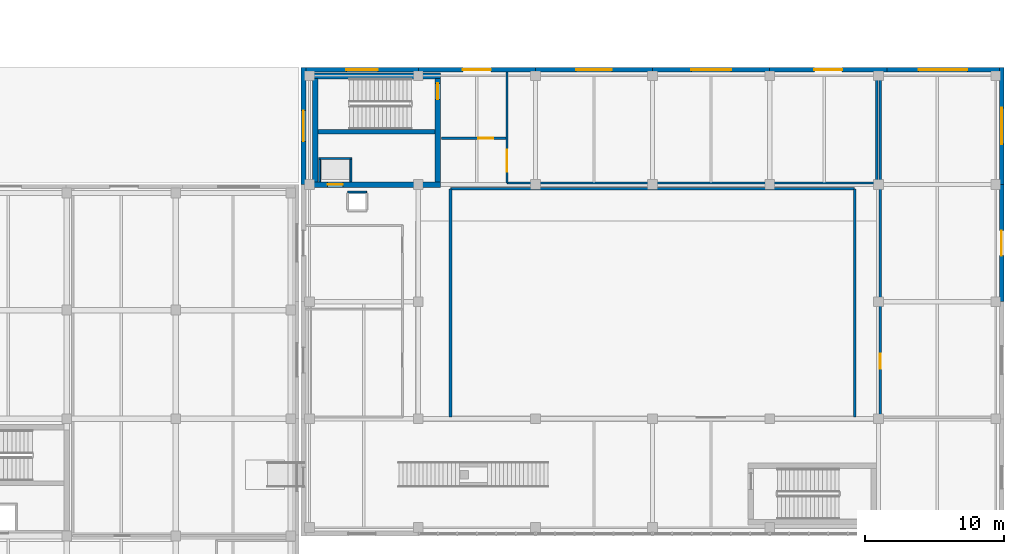
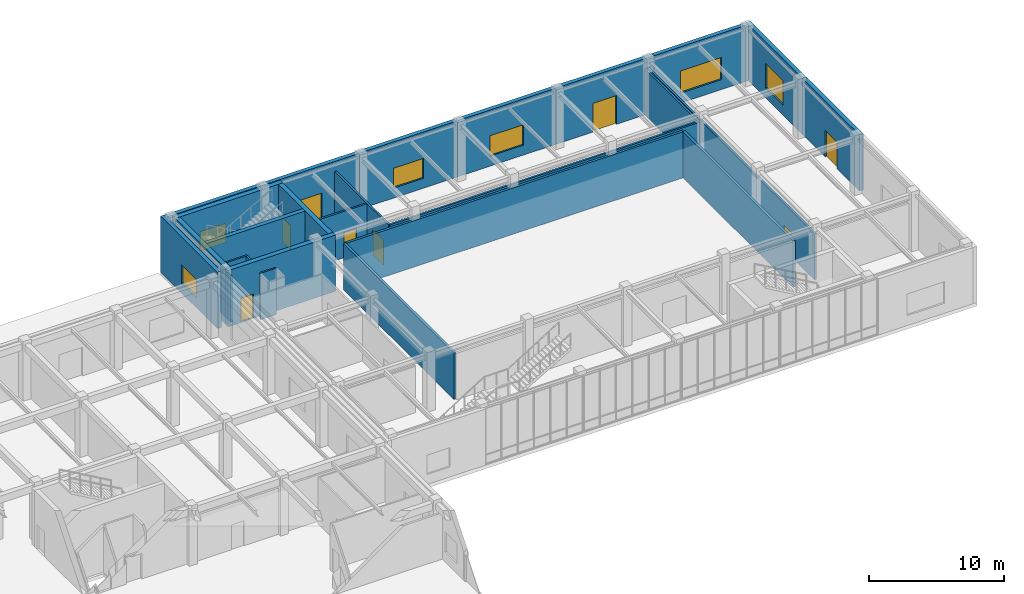
# One storey, part 103 of 122: 26 walls, 8 doors, 6 windows, 14 openings.
"""IFC4 building model written with IfcOpenShell, lengths in metres."""

from ifc_helpers import new_model, si_unit, direction, frame, frame_2d, origin, place, context, subcontext, project, spatial, rectangle, extrude, material, layer, layer_set, type_object, element, fill, save


model = new_model("IFC4")

# Units and contexts
model_context = context("Model", 3, precision=1e-05, world=origin(), true_north=direction((0.0, 1.0)))
body_context = subcontext(model_context, "Body", "Model", "MODEL_VIEW")
ifc_project = project(units=[si_unit("LENGTHUNIT", "METRE"), si_unit("AREAUNIT", "SQUARE_METRE"), si_unit("VOLUMEUNIT", "CUBIC_METRE"), si_unit("PLANEANGLEUNIT", "RADIAN"), si_unit("MASSUNIT", "GRAM", prefix="KILO")], contexts=[model_context])

# Site, building, storey
site_placement = place(None, origin())
site = spatial("IfcSite", under=ifc_project, at=site_placement, CompositionType="ELEMENT")
building_placement = place(site_placement, origin())
building = spatial("IfcBuilding", under=site, at=building_placement, Name="Zayran Congress Hotel", CompositionType="ELEMENT")
storey_placement = place(building_placement, origin())
storey = spatial("IfcBuildingStorey", under=building, at=storey_placement, Name="L00", CompositionType="ELEMENT", Elevation=0.0)

# Wall, opening, window
ifc_material_1 = material(Name="Hajar Ma'ani limestone and insulated concrete C32/40", Category="masonry")
ifc_layer_1 = layer(ifc_material_1, 0.340087890625)
ifc_layer_set_1 = layer_set([ifc_layer_1], Name="Hajar Ma'ani limestone and insulated concrete C32/40")
wall_type_1 = type_object("IfcWallType", Name="WL-EX-340", PredefinedType="SOLIDWALL", material=ifc_layer_set_1)
wall_1_placement = place(storey_placement, frame((143.139892578125, 117.830078125, 0.0), z_axis=(0.0, 0.0, 1.0), x_axis=(1.0, 0.0, 0.0)))
wall_1 = element("IfcWall", 1, at=wall_1_placement, inside=storey, type_object=wall_type_1, Name="EW-V2-N-L00-0", PredefinedType="SOLIDWALL", context=body_context, shape_type="SweptSolid", body=[
    extrude(rectangle(XDim=8.06005859375, YDim=0.340087890625, at=frame_2d((4.030029296875, 0.0))), origin(), (0.0, 0.0, 1.0), 5.080078125),
])
opening_1_placement = place(wall_1_placement, frame((2.905029296875, 0.0, 0.89990234375)))
opening_1 = element("IfcOpeningElement", 2, at=opening_1_placement, cuts=wall_1, Name="Opening WN-09", PredefinedType="OPENING", context=body_context, shape_type="SweptSolid", body=[
    extrude(rectangle(XDim=2.25, YDim=1.75, at=frame_2d((1.125, 0.875))), frame((0.0, 0.179931640625, 0.0), z_axis=(0.0, -1.0, 0.0), x_axis=(1.0, 0.0, 0.0)), (0.0, 0.0, 1.0), 0.360107421875),
])
ifc_material_2 = material(Name="Anodised aluminium and low-E insulated glass", Category="aluminium")
window_type_1 = type_object("IfcWindowType", Name="TP-WN-09", PartitioningType="DOUBLE_PANEL_VERTICAL", PredefinedType="WINDOW", material=ifc_material_2)
window_1_placement = place(opening_1_placement, origin())
window_1 = element("IfcWindow", 3, at=window_1_placement, inside=storey, type_object=window_type_1, Name="WIN-V2-0011", OverallHeight=1.75, OverallWidth=2.25, PartitioningType="SINGLE_PANEL", PredefinedType="WINDOW", context=body_context, shape_type="SweptSolid", body=[
    extrude(rectangle(XDim=2.25, YDim=1.75, at=frame_2d((1.125, 0.875))), frame((0.0, 0.030029296875, 0.0), z_axis=(0.0, -1.0, 0.0), x_axis=(1.0, 0.0, 0.0)), (0.0, 0.0, 1.0), 0.06005859375),
])
fill(opening_1, window_1)

# Wall, opening, door
wall_2_placement = place(storey_placement, frame((151.199951171875, 117.830078125, 0.0), z_axis=(0.0, 0.0, 1.0), x_axis=(1.0, 0.0, 0.0)))
wall_2 = element("IfcWall", 4, at=wall_2_placement, inside=storey, type_object=wall_type_1, Name="EW-V2-N-L00-1", PredefinedType="SOLIDWALL", context=body_context, shape_type="SweptSolid", body=[
    extrude(rectangle(XDim=8.400146484375, YDim=0.340087890625, at=frame_2d((4.2001953125, 0.0))), origin(), (0.0, 0.0, 1.0), 5.080078125),
])
opening_2_placement = place(wall_2_placement, frame((3.199951171875, 0.0, 0.0)))
opening_2 = element("IfcOpeningElement", 5, at=opening_2_placement, cuts=wall_2, Name="Opening DEX-02", PredefinedType="OPENING", context=body_context, shape_type="SweptSolid", body=[
    extrude(rectangle(XDim=2.0, YDim=2.60009765625, at=frame_2d((1.0, 1.300048828125))), frame((0.0, 0.179931640625, 0.0), z_axis=(0.0, -1.0, 0.0), x_axis=(1.0, 0.0, 0.0)), (0.0, 0.0, 1.0), 0.360107421875),
])
ifc_material_3 = material(Name="Anodised aluminium glazed entrance door", Category="aluminium")
door_type_1 = type_object("IfcDoorType", Name="TP-DEX-02", OperationType="DOUBLE_DOOR_SINGLE_SWING", PredefinedType="DOOR", material=ifc_material_3)
door_1_placement = place(opening_2_placement, origin())
door_1 = element("IfcDoor", 6, at=door_1_placement, inside=storey, type_object=door_type_1, Name="V2 Exterior Entrance Door 10", OperationType="DOUBLE_DOOR_SINGLE_SWING", OverallHeight=2.60009765625, OverallWidth=2.0, PredefinedType="DOOR", context=body_context, shape_type="SweptSolid", body=[
    extrude(rectangle(XDim=2.0, YDim=2.60009765625, at=frame_2d((1.0, 1.300048828125))), frame((0.0, 0.02490234375, 0.0), z_axis=(0.0, -1.0, 0.0), x_axis=(1.0, 0.0, 0.0)), (0.0, 0.0, 1.0), 0.050048828125),
])
fill(opening_2, door_1)

# Wall, opening, window
wall_3_placement = place(storey_placement, frame((159.60009765625, 117.830078125, 0.0), z_axis=(0.0, 0.0, 1.0), x_axis=(1.0, 0.0, 0.0)))
wall_3 = element("IfcWall", 7, at=wall_3_placement, inside=storey, type_object=wall_type_1, Name="EW-V2-N-L00-2", PredefinedType="SOLIDWALL", context=body_context, shape_type="SweptSolid", body=[
    extrude(rectangle(XDim=8.39990234375, YDim=0.340087890625, at=frame_2d((4.199951171875, 0.0))), origin(), (0.0, 0.0, 1.0), 5.080078125),
])
opening_3_placement = place(wall_3_placement, frame((2.925048828125, 0.0, 0.89990234375)))
opening_3 = element("IfcOpeningElement", 8, at=opening_3_placement, cuts=wall_3, Name="Opening WN-10", PredefinedType="OPENING", context=body_context, shape_type="SweptSolid", body=[
    extrude(rectangle(XDim=2.550048828125, YDim=1.800048828125, at=frame_2d((1.27490234375, 0.89990234375))), frame((0.0, 0.179931640625, 0.0), z_axis=(0.0, -1.0, 0.0), x_axis=(1.0, 0.0, 0.0)), (0.0, 0.0, 1.0), 0.360107421875),
])
window_type_2 = type_object("IfcWindowType", Name="TP-WN-10", PartitioningType="DOUBLE_PANEL_VERTICAL", PredefinedType="WINDOW", material=ifc_material_2)
window_2_placement = place(opening_3_placement, origin())
window_2 = element("IfcWindow", 9, at=window_2_placement, inside=storey, type_object=window_type_2, Name="WIN-V2-0013", OverallHeight=1.800048828125, OverallWidth=2.550048828125, PartitioningType="SINGLE_PANEL", PredefinedType="WINDOW", context=body_context, shape_type="SweptSolid", body=[
    extrude(rectangle(XDim=2.550048828125, YDim=1.800048828125, at=frame_2d((1.27490234375, 0.89990234375))), frame((0.0, 0.030029296875, 0.0), z_axis=(0.0, -1.0, 0.0), x_axis=(1.0, 0.0, 0.0)), (0.0, 0.0, 1.0), 0.06005859375),
])
fill(opening_3, window_2)

wall_4_placement = place(storey_placement, frame((168.0, 117.830078125, 0.0), z_axis=(0.0, 0.0, 1.0), x_axis=(1.0, 0.0, 0.0)))
wall_4 = element("IfcWall", 10, at=wall_4_placement, inside=storey, type_object=wall_type_1, Name="EW-V2-N-L00-3", PredefinedType="SOLIDWALL", context=body_context, shape_type="SweptSolid", body=[
    extrude(rectangle(XDim=8.39990234375, YDim=0.340087890625, at=frame_2d((4.199951171875, 0.0))), origin(), (0.0, 0.0, 1.0), 5.080078125),
])
opening_4_placement = place(wall_4_placement, frame((2.77490234375, 0.0, 0.89990234375)))
opening_4 = element("IfcOpeningElement", 11, at=opening_4_placement, cuts=wall_4, Name="Opening WN-11", PredefinedType="OPENING", context=body_context, shape_type="SweptSolid", body=[
    extrude(rectangle(XDim=2.85009765625, YDim=1.85009765625, at=frame_2d((1.425048828125, 0.925048828125))), frame((0.0, 0.179931640625, 0.0), z_axis=(0.0, -1.0, 0.0), x_axis=(1.0, 0.0, 0.0)), (0.0, 0.0, 1.0), 0.360107421875),
])
window_type_3 = type_object("IfcWindowType", Name="TP-WN-11", PartitioningType="TRIPLE_PANEL_VERTICAL", PredefinedType="WINDOW", material=ifc_material_2)
window_3_placement = place(opening_4_placement, origin())
window_3 = element("IfcWindow", 12, at=window_3_placement, inside=storey, type_object=window_type_3, Name="WIN-V2-0014", OverallHeight=1.85009765625, OverallWidth=2.85009765625, PartitioningType="SINGLE_PANEL", PredefinedType="WINDOW", context=body_context, shape_type="SweptSolid", body=[
    extrude(rectangle(XDim=2.85009765625, YDim=1.85009765625, at=frame_2d((1.425048828125, 0.925048828125))), frame((0.0, 0.030029296875, 0.0), z_axis=(0.0, -1.0, 0.0), x_axis=(1.0, 0.0, 0.0)), (0.0, 0.0, 1.0), 0.06005859375),
])
fill(opening_4, window_3)

# Wall, opening, door
wall_5_placement = place(storey_placement, frame((176.39990234375, 117.830078125, 0.0), z_axis=(0.0, 0.0, 1.0), x_axis=(1.0, 0.0, 0.0)))
wall_5 = element("IfcWall", 13, at=wall_5_placement, inside=storey, type_object=wall_type_1, Name="EW-V2-N-L00-4", PredefinedType="SOLIDWALL", context=body_context, shape_type="SweptSolid", body=[
    extrude(rectangle(XDim=8.400146484375, YDim=0.340087890625, at=frame_2d((4.2001953125, 0.0))), origin(), (0.0, 0.0, 1.0), 5.080078125),
])
opening_5_placement = place(wall_5_placement, frame((3.199951171875, 0.0, 0.0)))
opening_5 = element("IfcOpeningElement", 14, at=opening_5_placement, cuts=wall_5, Name="Opening DEX-02", PredefinedType="OPENING", context=body_context, shape_type="SweptSolid", body=[
    extrude(rectangle(XDim=2.0, YDim=2.60009765625, at=frame_2d((1.0, 1.300048828125))), frame((0.0, 0.179931640625, 0.0), z_axis=(0.0, -1.0, 0.0), x_axis=(1.0, 0.0, 0.0)), (0.0, 0.0, 1.0), 0.360107421875),
])
door_2_placement = place(opening_5_placement, origin())
door_2 = element("IfcDoor", 15, at=door_2_placement, inside=storey, type_object=door_type_1, Name="V2 Exterior Entrance Door 11", OperationType="DOUBLE_DOOR_SINGLE_SWING", OverallHeight=2.60009765625, OverallWidth=2.0, PredefinedType="DOOR", context=body_context, shape_type="SweptSolid", body=[
    extrude(rectangle(XDim=2.0, YDim=2.60009765625, at=frame_2d((1.0, 1.300048828125))), frame((0.0, 0.02490234375, 0.0), z_axis=(0.0, -1.0, 0.0), x_axis=(1.0, 0.0, 0.0)), (0.0, 0.0, 1.0), 0.050048828125),
])
fill(opening_5, door_2)

# Wall, opening, window
wall_6_placement = place(storey_placement, frame((184.800048828125, 117.830078125, 0.0), z_axis=(0.0, 0.0, 1.0), x_axis=(1.0, 0.0, 0.0)))
wall_6 = element("IfcWall", 16, at=wall_6_placement, inside=storey, type_object=wall_type_1, Name="EW-V2-N-L00-5", PredefinedType="SOLIDWALL", context=body_context, shape_type="SweptSolid", body=[
    extrude(rectangle(XDim=8.06005859375, YDim=0.340087890625, at=frame_2d((4.030029296875, 0.0))), origin(), (0.0, 0.0, 1.0), 5.080078125),
])
opening_6_placement = place(wall_6_placement, frame((2.280029296875, 0.0, 0.89990234375)))
opening_6 = element("IfcOpeningElement", 17, at=opening_6_placement, cuts=wall_6, Name="Opening WN-13", PredefinedType="OPENING", context=body_context, shape_type="SweptSolid", body=[
    extrude(rectangle(XDim=3.5, YDim=2.0, at=frame_2d((1.75, 1.0))), frame((0.0, 0.179931640625, 0.0), z_axis=(0.0, -1.0, 0.0), x_axis=(1.0, 0.0, 0.0)), (0.0, 0.0, 1.0), 0.360107421875),
])
window_type_4 = type_object("IfcWindowType", Name="TP-WN-13", PartitioningType="TRIPLE_PANEL_VERTICAL", PredefinedType="WINDOW", material=ifc_material_2)
window_4_placement = place(opening_6_placement, origin())
window_4 = element("IfcWindow", 18, at=window_4_placement, inside=storey, type_object=window_type_4, Name="WIN-V2-0017", OverallHeight=2.0, OverallWidth=3.5, PartitioningType="SINGLE_PANEL", PredefinedType="WINDOW", context=body_context, shape_type="SweptSolid", body=[
    extrude(rectangle(XDim=3.5, YDim=2.0, at=frame_2d((1.75, 1.0))), frame((0.0, 0.030029296875, 0.0), z_axis=(0.0, -1.0, 0.0), x_axis=(1.0, 0.0, 0.0)), (0.0, 0.0, 1.0), 0.06005859375),
])
fill(opening_6, window_4)

# Wall, opening, door
wall_7_placement = place(storey_placement, frame((193.030029296875, 109.60009765625, 0.0), z_axis=(0.0, 0.0, 1.0), x_axis=(0.0, -1.0, 0.0)))
wall_7 = element("IfcWall", 19, at=wall_7_placement, inside=storey, type_object=wall_type_1, Name="EW-V2-E-L00-2", PredefinedType="SOLIDWALL", context=body_context, shape_type="SweptSolid", body=[
    extrude(rectangle(XDim=8.400146484375, YDim=0.340087890625, at=frame_2d((4.2001953125, 0.0))), origin(), (0.0, 0.0, 1.0), 5.080078125),
])
opening_7_placement = place(wall_7_placement, frame((3.300048828125, 0.0, 0.0)))
opening_7 = element("IfcOpeningElement", 20, at=opening_7_placement, cuts=wall_7, Name="Opening DEX-03", PredefinedType="OPENING", context=body_context, shape_type="SweptSolid", body=[
    extrude(rectangle(XDim=1.800048828125, YDim=2.39990234375, at=frame_2d((0.89990234375, 1.199951171875))), frame((0.0, 0.179931640625, 0.0), z_axis=(0.0, -1.0, 0.0), x_axis=(1.0, 0.0, 0.0)), (0.0, 0.0, 1.0), 0.360107421875),
])
ifc_material_4 = material(Name="Painted steel fire exit door assembly", Category="steel")
door_type_2 = type_object("IfcDoorType", Name="TP-DEX-03", OperationType="DOUBLE_DOOR_SINGLE_SWING", PredefinedType="DOOR", material=ifc_material_4)
door_3_placement = place(opening_7_placement, origin())
door_3 = element("IfcDoor", 21, at=door_3_placement, inside=storey, type_object=door_type_2, Name="V2 Side Final Exit Door 13", OperationType="DOUBLE_DOOR_SINGLE_SWING", OverallHeight=2.39990234375, OverallWidth=1.800048828125, PredefinedType="DOOR", context=body_context, shape_type="SweptSolid", body=[
    extrude(rectangle(XDim=1.800048828125, YDim=2.39990234375, at=frame_2d((0.89990234375, 1.199951171875))), frame((0.0, 0.02490234375, 0.0), z_axis=(0.0, -1.0, 0.0), x_axis=(1.0, 0.0, 0.0)), (0.0, 0.0, 1.0), 0.050048828125),
])
fill(opening_7, door_3)

# Wall, opening, window
wall_8_placement = place(storey_placement, frame((142.969970703125, 109.60009765625, 0.0), z_axis=(0.0, 0.0, 1.0), x_axis=(0.0, 1.0, 0.0)))
wall_8 = element("IfcWall", 22, at=wall_8_placement, inside=storey, type_object=wall_type_1, Name="EW-V2-W-L00-3", PredefinedType="SOLIDWALL", context=body_context, shape_type="SweptSolid", body=[
    extrude(rectangle(XDim=8.39990234375, YDim=0.340087890625, at=frame_2d((4.199951171875, 0.0))), origin(), (0.0, 0.0, 1.0), 5.080078125),
])
opening_8_placement = place(wall_8_placement, frame((3.10009765625, 0.0, 0.89990234375)))
opening_8 = element("IfcOpeningElement", 23, at=opening_8_placement, cuts=wall_8, Name="Opening WN-18", PredefinedType="OPENING", context=body_context, shape_type="SweptSolid", body=[
    extrude(rectangle(XDim=2.199951171875, YDim=1.64990234375, at=frame_2d((1.10009765625, 0.824951171875))), frame((0.0, 0.179931640625, 0.0), z_axis=(0.0, -1.0, 0.0), x_axis=(1.0, 0.0, 0.0)), (0.0, 0.0, 1.0), 0.360107421875),
])
window_type_5 = type_object("IfcWindowType", Name="TP-WN-18", PartitioningType="DOUBLE_PANEL_VERTICAL", PredefinedType="WINDOW", material=ifc_material_2)
window_5_placement = place(opening_8_placement, origin())
window_5 = element("IfcWindow", 24, at=window_5_placement, inside=storey, type_object=window_type_5, Name="WIN-V2-0024", OverallHeight=1.64990234375, OverallWidth=2.199951171875, PartitioningType="SINGLE_PANEL", PredefinedType="WINDOW", context=body_context, shape_type="SweptSolid", body=[
    extrude(rectangle(XDim=2.199951171875, YDim=1.64990234375, at=frame_2d((1.10009765625, 0.824951171875))), frame((0.0, 0.030029296875, 0.0), z_axis=(0.0, -1.0, 0.0), x_axis=(1.0, 0.0, 0.0)), (0.0, 0.0, 1.0), 0.06005859375),
])
fill(opening_8, window_5)

wall_9_placement = place(storey_placement, frame((193.030029296875, 118.0, 0.0), z_axis=(0.0, 0.0, 1.0), x_axis=(0.0, -1.0, 0.0)))
wall_9 = element("IfcWall", 25, at=wall_9_placement, inside=storey, type_object=wall_type_1, Name="EW-V2-E-L00-3", PredefinedType="SOLIDWALL", context=body_context, shape_type="SweptSolid", body=[
    extrude(rectangle(XDim=8.39990234375, YDim=0.340087890625, at=frame_2d((4.199951171875, 0.0))), origin(), (0.0, 0.0, 1.0), 5.080078125),
])
opening_9_placement = place(wall_9_placement, frame((2.89990234375, 0.0, 0.89990234375)))
opening_9 = element("IfcOpeningElement", 26, at=opening_9_placement, cuts=wall_9, Name="Opening WN-19", PredefinedType="OPENING", context=body_context, shape_type="SweptSolid", body=[
    extrude(rectangle(XDim=2.60009765625, YDim=2.199951171875, at=frame_2d((1.300048828125, 1.10009765625))), frame((0.0, 0.179931640625, 0.0), z_axis=(0.0, -1.0, 0.0), x_axis=(1.0, 0.0, 0.0)), (0.0, 0.0, 1.0), 0.360107421875),
])
window_type_6 = type_object("IfcWindowType", Name="TP-WN-19", PartitioningType="DOUBLE_PANEL_VERTICAL", PredefinedType="WINDOW", material=ifc_material_2)
window_6_placement = place(opening_9_placement, origin())
window_6 = element("IfcWindow", 27, at=window_6_placement, inside=storey, type_object=window_type_6, Name="WIN-V2-0025", OverallHeight=2.199951171875, OverallWidth=2.60009765625, PartitioningType="SINGLE_PANEL", PredefinedType="WINDOW", context=body_context, shape_type="SweptSolid", body=[
    extrude(rectangle(XDim=2.60009765625, YDim=2.199951171875, at=frame_2d((1.300048828125, 1.10009765625))), frame((0.0, 0.030029296875, 0.0), z_axis=(0.0, -1.0, 0.0), x_axis=(1.0, 0.0, 0.0)), (0.0, 0.0, 1.0), 0.06005859375),
])
fill(opening_9, window_6)

# Wall, opening, door
ifc_material_5 = material(Name="Concrete C40/50", Category="concrete")
ifc_layer_2 = layer(ifc_material_5, 0.39990234375)
ifc_layer_set_2 = layer_set([ifc_layer_2], Name="Concrete C40/50")
wall_type_2 = type_object("IfcWallType", Name="WL-SH-400", PredefinedType="SHEAR", material=ifc_layer_set_2)
wall_10_placement = place(storey_placement, frame((143.60009765625, 109.60009765625, 0.0), z_axis=(0.0, 0.0, 1.0), x_axis=(1.0, 0.0, 0.0)))
wall_10 = element("IfcWall", 28, at=wall_10_placement, inside=storey, type_object=wall_type_2, Name="CWALL-C-V2W-L00-S", PredefinedType="SHEAR", context=body_context, shape_type="SweptSolid", body=[
    extrude(rectangle(XDim=9.199951171875, YDim=0.39990234375, at=frame_2d((4.60009765625, 0.0))), origin(), (0.0, 0.0, 1.0), 5.080078125),
])
opening_10_placement = place(wall_10_placement, frame((1.10009765625, 0.0, 0.0)))
opening_10 = element("IfcOpeningElement", 29, at=opening_10_placement, cuts=wall_10, Name="Opening LD-PL07", PredefinedType="OPENING", context=body_context, shape_type="SweptSolid", body=[
    extrude(rectangle(XDim=1.10009765625, YDim=2.199951171875, at=frame_2d((0.550048828125, 1.10009765625))), frame((0.0, 0.2099609375, 0.0), z_axis=(0.0, -1.0, 0.0), x_axis=(1.0, 0.0, 0.0)), (0.0, 0.0, 1.0), 0.419921875),
])
ifc_material_6 = material(Name="Brushed stainless steel sliding lift landing door", Category="steel")
door_type_3 = type_object("IfcDoorType", Name="TP-DR-LD-01", OperationType="DOUBLE_DOOR_SLIDING", PredefinedType="DOOR", material=ifc_material_6)
door_4_placement = place(opening_10_placement, origin())
door_4 = element("IfcDoor", 30, at=door_4_placement, inside=storey, type_object=door_type_3, Name="Lift PL-07 Sliding Landing Door L00", OperationType="DOUBLE_DOOR_SLIDING", OverallHeight=2.199951171875, OverallWidth=1.10009765625, PredefinedType="DOOR", context=body_context, shape_type="SweptSolid", body=[
    extrude(rectangle(XDim=1.10009765625, YDim=2.199951171875, at=frame_2d((0.550048828125, 1.10009765625))), frame((0.0, 0.02490234375, 0.0), z_axis=(0.0, -1.0, 0.0), x_axis=(1.0, 0.0, 0.0)), (0.0, 0.0, 1.0), 0.050048828125),
])
fill(opening_10, door_4)

# Walls
wall_11_placement = place(storey_placement, frame((152.800048828125, 117.385009765625, 0.0), z_axis=(0.0, 0.0, 1.0), x_axis=(-1.0, 0.0, 0.0)))
element("IfcWall", 31, at=wall_11_placement, inside=storey, type_object=wall_type_2, Name="CWALL-C-V2W-L00-N", PredefinedType="SHEAR", context=body_context, shape_type="SweptSolid", body=[
    extrude(rectangle(XDim=9.199951171875, YDim=0.39990234375, at=frame_2d((4.60009765625, 0.0))), origin(), (0.0, 0.0, 1.0), 5.080078125),
])
wall_12_placement = place(storey_placement, frame((143.800048828125, 117.199951171875, 0.0), z_axis=(0.0, 0.0, 1.0), x_axis=(0.0, -1.0, 0.0)))
element("IfcWall", 32, at=wall_12_placement, inside=storey, type_object=wall_type_2, Name="CWALL-C-V2W-L00-W", PredefinedType="SHEAR", context=body_context, shape_type="SweptSolid", body=[
    extrude(rectangle(XDim=7.39990234375, YDim=0.39990234375, at=frame_2d((3.699951171875, 0.0))), origin(), (0.0, 0.0, 1.0), 5.080078125),
])

# Wall, opening, door
wall_13_placement = place(storey_placement, frame((152.60009765625, 109.800048828125, 0.0), z_axis=(0.0, 0.0, 1.0), x_axis=(0.0, 1.0, 0.0)))
wall_13 = element("IfcWall", 33, at=wall_13_placement, inside=storey, type_object=wall_type_2, Name="CWALL-C-V2W-L00-E", PredefinedType="SHEAR", context=body_context, shape_type="SweptSolid", body=[
    extrude(rectangle(XDim=7.39990234375, YDim=0.39990234375, at=frame_2d((3.699951171875, 0.0))), origin(), (0.0, 0.0, 1.0), 5.080078125),
])
opening_11_placement = place(wall_13_placement, frame((5.89990234375, 0.0, 0.0)))
opening_11 = element("IfcOpeningElement", 34, at=opening_11_placement, cuts=wall_13, Name="Opening DR-FD-90", PredefinedType="OPENING", context=body_context, shape_type="SweptSolid", body=[
    extrude(rectangle(XDim=1.14990234375, YDim=2.199951171875, at=frame_2d((0.574951171875, 1.10009765625))), frame((0.0, 0.2099609375, 0.0), z_axis=(0.0, -1.0, 0.0), x_axis=(1.0, 0.0, 0.0)), (0.0, 0.0, 1.0), 0.419921875),
])
ifc_material_7 = material(Name="Painted steel fire door assembly", Category="steel")
door_type_4 = type_object("IfcDoorType", Name="TP-DR-FD-90", OperationType="NOTDEFINED", PredefinedType="DOOR", material=ifc_material_7)
door_5_placement = place(opening_11_placement, origin())
door_5 = element("IfcDoor", 35, at=door_5_placement, inside=storey, type_object=door_type_4, Name="ST-09 Exit Stair Door L00", OperationType="SINGLE_SWING_LEFT", OverallHeight=2.199951171875, OverallWidth=1.14990234375, PredefinedType="DOOR", context=body_context, shape_type="SweptSolid", body=[
    extrude(rectangle(XDim=1.14990234375, YDim=2.199951171875, at=frame_2d((0.574951171875, 1.10009765625))), frame((0.0, 0.02490234375, 0.0), z_axis=(0.0, -1.0, 0.0), x_axis=(1.0, 0.0, 0.0)), (0.0, 0.0, 1.0), 0.050048828125),
])
fill(opening_11, door_5)

# Walls
ifc_layer_3 = layer(ifc_material_5, 0.35009765625)
ifc_layer_set_3 = layer_set([ifc_layer_3], Name="Concrete C40/50")
wall_type_3 = type_object("IfcWallType", Name="WL-SH-350", PredefinedType="SHEAR", material=ifc_layer_set_3)
wall_14_placement = place(storey_placement, frame((144.0, 113.385009765625, 0.0), z_axis=(0.0, 0.0, 1.0), x_axis=(1.0, 0.0, 0.0)))
element("IfcWall", 36, at=wall_14_placement, inside=storey, type_object=wall_type_3, Name="CWALL-C-V2W-L00-SPN", PredefinedType="SHEAR", context=body_context, shape_type="SweptSolid", body=[
    extrude(rectangle(XDim=8.39990234375, YDim=0.35009765625, at=frame_2d((4.199951171875, 0.0))), origin(), (0.0, 0.0, 1.0), 5.080078125),
])
ifc_material_8 = material(Name="Concrete C32/40 acoustic masonry", Category="masonry")
ifc_layer_4 = layer(ifc_material_8, 0.199951171875)
ifc_layer_set_4 = layer_set([ifc_layer_4], Name="Concrete C32/40 acoustic masonry")
wall_type_4 = type_object("IfcWallType", Name="WL-SL-200", PredefinedType="SOLIDWALL", material=ifc_layer_set_4)
wall_15_placement = place(storey_placement, frame((153.52001953125, 109.300048828125, 0.0), z_axis=(0.0, 0.0, 1.0), x_axis=(1.0, 0.0, 0.0)))
element("IfcWall", 37, at=wall_15_placement, inside=storey, type_object=wall_type_4, Name="IW-L00-1667", PredefinedType="SOLIDWALL", context=body_context, shape_type="SweptSolid", body=[
    extrude(rectangle(XDim=28.9599609375, YDim=0.199951171875, at=frame_2d((14.47998046875, 0.0))), origin(), (0.0, 0.0, 1.0), 4.179931640625),
])
for number, where, z_axis, x_axis, name in (
    (38, (153.5, 92.919921875, 0.0), (0.0, 0.0, 1.0), (0.0, 1.0, 0.0), "IW-L00-1668"),
    (39, (182.5, 92.919921875, 0.0), (0.0, 0.0, 1.0), (0.0, 1.0, 0.0), "IW-L00-1669"),
):
    element("IfcWall", number, at=place(storey_placement, frame(where, z_axis=z_axis, x_axis=x_axis)), inside=storey, type_object=wall_type_4, Name=name, PredefinedType="SOLIDWALL", context=body_context, shape_type="SweptSolid", body=[
        extrude(rectangle(XDim=16.360107421875, YDim=0.199951171875, at=frame_2d((8.18017578125, 0.0))), origin(), (0.0, 0.0, 1.0), 4.179931640625),
    ])

# Wall, opening, door
ifc_material_9 = material(Name="Acoustic twin-stud gypsum partition", Category="gypsum")
ifc_layer_5 = layer(ifc_material_9, 0.159912109375)
ifc_layer_set_5 = layer_set([ifc_layer_5], Name="Acoustic twin-stud gypsum partition")
wall_type_5 = type_object("IfcWallType", Name="WL-PT-160", PredefinedType="PARTITIONING", material=ifc_layer_set_5)
wall_16_placement = place(storey_placement, frame((152.8701171875, 112.919921875, 0.0), z_axis=(0.0, 0.0, 1.0), x_axis=(1.0, 0.0, 0.0)))
wall_16 = element("IfcWall", 40, at=wall_16_placement, inside=storey, type_object=wall_type_5, Name="IW-L00-0397", PredefinedType="PARTITIONING", context=body_context, shape_type="SweptSolid", body=[
    extrude(rectangle(XDim=4.60986328125, YDim=0.159912109375, at=frame_2d((2.304931640625, 0.0))), origin(), (0.0, 0.0, 1.0), 4.179931640625),
])
opening_12_placement = place(wall_16_placement, frame((2.623046875, 0.0, 0.0)))
opening_12 = element("IfcOpeningElement", 41, at=opening_12_placement, cuts=wall_16, Name="Opening DR-MT-01", PredefinedType="OPENING", context=body_context, shape_type="SweptSolid", body=[
    extrude(rectangle(XDim=1.080078125, YDim=2.25, at=frame_2d((0.5400390625, 1.125))), frame((0.0, 0.08984375, 0.0), z_axis=(0.0, -1.0, 0.0), x_axis=(1.0, 0.0, 0.0)), (0.0, 0.0, 1.0), 0.179931640625),
])
ifc_material_10 = material(Name="Acoustic timber seminar room door", Category="wood")
door_type_5 = type_object("IfcDoorType", Name="TP-DR-MT-01", OperationType="NOTDEFINED", PredefinedType="DOOR", material=ifc_material_10)
door_6_placement = place(opening_12_placement, origin())
door_6 = element("IfcDoor", 42, at=door_6_placement, inside=storey, type_object=door_type_5, Name="Protected Exit Vestibule ST-09 L00 Door", OperationType="SINGLE_SWING_LEFT", OverallHeight=2.25, OverallWidth=1.080078125, PredefinedType="DOOR", context=body_context, shape_type="SweptSolid", body=[
    extrude(rectangle(XDim=1.080078125, YDim=2.25, at=frame_2d((0.5400390625, 1.125))), frame((0.0, 0.02490234375, 0.0), z_axis=(0.0, -1.0, 0.0), x_axis=(1.0, 0.0, 0.0)), (0.0, 0.0, 1.0), 0.050048828125),
])
fill(opening_12, door_6)

wall_17_placement = place(storey_placement, frame((157.570068359375, 109.719970703125, 0.0), z_axis=(0.0, 0.0, 1.0), x_axis=(0.0, 1.0, 0.0)))
wall_17 = element("IfcWall", 43, at=wall_17_placement, inside=storey, type_object=wall_type_5, Name="IW-L00-0398", PredefinedType="PARTITIONING", context=body_context, shape_type="SweptSolid", body=[
    extrude(rectangle(XDim=7.93994140625, YDim=0.159912109375, at=frame_2d((3.969970703125, 0.0))), origin(), (0.0, 0.0, 1.0), 4.179931640625),
])
opening_13_placement = place(wall_17_placement, frame((0.81396484375, 0.0, 0.0)))
opening_13 = element("IfcOpeningElement", 44, at=opening_13_placement, cuts=wall_17, Name="Opening DR-KT-01", PredefinedType="OPENING", context=body_context, shape_type="SweptSolid", body=[
    extrude(rectangle(XDim=1.550048828125, YDim=2.25, at=frame_2d((0.77490234375, 1.125))), frame((0.0, 0.08984375, 0.0), z_axis=(0.0, -1.0, 0.0), x_axis=(1.0, 0.0, 0.0)), (0.0, 0.0, 1.0), 0.179931640625),
])
ifc_material_11 = material(Name="Stainless steel banquet kitchen double-action door", Category="steel")
door_type_6 = type_object("IfcDoorType", Name="TP-DR-KT-01", OperationType="DOUBLE_DOOR_DOUBLE_SWING", PredefinedType="DOOR", material=ifc_material_11)
door_7_placement = place(opening_13_placement, origin())
door_7 = element("IfcDoor", 45, at=door_7_placement, inside=storey, type_object=door_type_6, Name="Banquet Kitchen L00 Door", OperationType="DOUBLE_DOOR_DOUBLE_SWING", OverallHeight=2.25, OverallWidth=1.550048828125, PredefinedType="DOOR", context=body_context, shape_type="SweptSolid", body=[
    extrude(rectangle(XDim=1.550048828125, YDim=2.25, at=frame_2d((0.77490234375, 1.125))), frame((0.0, 0.02490234375, 0.0), z_axis=(0.0, -1.0, 0.0), x_axis=(1.0, 0.0, 0.0)), (0.0, 0.0, 1.0), 0.050048828125),
])
fill(opening_13, door_7)

wall_18_placement = place(storey_placement, frame((184.320068359375, 92.919921875, 0.0), z_axis=(0.0, 0.0, 1.0), x_axis=(0.0, 1.0, 0.0)))
wall_18 = element("IfcWall", 46, at=wall_18_placement, inside=storey, type_object=wall_type_5, Name="IW-L00-0399", PredefinedType="PARTITIONING", context=body_context, shape_type="SweptSolid", body=[
    extrude(rectangle(XDim=24.739990234375, YDim=0.159912109375, at=frame_2d((12.3701171875, 0.0))), origin(), (0.0, 0.0, 1.0), 4.179931640625),
])
opening_14_placement = place(wall_18_placement, frame((3.487060546875, 0.0, 0.0)))
opening_14 = element("IfcOpeningElement", 47, at=opening_14_placement, cuts=wall_18, Name="Opening DR-PL-02", PredefinedType="OPENING", context=body_context, shape_type="SweptSolid", body=[
    extrude(rectangle(XDim=1.06005859375, YDim=2.199951171875, at=frame_2d((0.530029296875, 1.10009765625))), frame((0.0, 0.08984375, 0.0), z_axis=(0.0, -1.0, 0.0), x_axis=(1.0, 0.0, 0.0)), (0.0, 0.0, 1.0), 0.179931640625),
])
ifc_material_12 = material(Name="Painted steel store room fire door", Category="steel")
door_type_7 = type_object("IfcDoorType", Name="TP-DR-PL-02", OperationType="NOTDEFINED", PredefinedType="DOOR", material=ifc_material_12)
door_8_placement = place(opening_14_placement, origin())
door_8 = element("IfcDoor", 48, at=door_8_placement, inside=storey, type_object=door_type_7, Name="Banquet Furniture Store L00 Door", OperationType="SINGLE_SWING_RIGHT", OverallHeight=2.199951171875, OverallWidth=1.06005859375, PredefinedType="DOOR", context=body_context, shape_type="SweptSolid", body=[
    extrude(rectangle(XDim=1.06005859375, YDim=2.199951171875, at=frame_2d((0.530029296875, 1.10009765625))), frame((0.0, 0.02490234375, 0.0), z_axis=(0.0, -1.0, 0.0), x_axis=(1.0, 0.0, 0.0)), (0.0, 0.0, 1.0), 0.050048828125),
])
fill(opening_14, door_8)

# Walls
wall_19_placement = place(storey_placement, frame((157.570068359375, 109.719970703125, 0.0), z_axis=(0.0, 0.0, 1.0), x_axis=(1.0, 0.0, 0.0)))
element("IfcWall", 49, at=wall_19_placement, inside=storey, type_object=wall_type_5, Name="IW-L00-1670", PredefinedType="PARTITIONING", context=body_context, shape_type="SweptSolid", body=[
    extrude(rectangle(XDim=26.510009765625, YDim=0.159912109375, at=frame_2d((13.2548828125, 0.0))), origin(), (0.0, 0.0, 1.0), 4.179931640625),
])
wall_20_placement = place(storey_placement, frame((184.080078125, 109.719970703125, 0.0), z_axis=(0.0, 0.0, 1.0), x_axis=(0.0, 1.0, 0.0)))
element("IfcWall", 50, at=wall_20_placement, inside=storey, type_object=wall_type_5, Name="IW-L00-1671", PredefinedType="PARTITIONING", context=body_context, shape_type="SweptSolid", body=[
    extrude(rectangle(XDim=7.93994140625, YDim=0.159912109375, at=frame_2d((3.969970703125, 0.0))), origin(), (0.0, 0.0, 1.0), 4.179931640625),
])
ifc_material_13 = material(Name="Hospitality guestroom acoustic partition", Category="gypsum")
ifc_layer_6 = layer(ifc_material_13, 0.139892578125)
ifc_layer_set_6 = layer_set([ifc_layer_6], Name="Hospitality guestroom acoustic partition")
wall_type_6 = type_object("IfcWallType", Name="WL-PT-140", PredefinedType="PARTITIONING", material=ifc_layer_set_6)
for number, where, z_axis, x_axis, name in (
    (51, (144.1298828125, 109.800048828125, 0.0), (0.0, 0.0, 1.0), (0.0, 1.0, 0.0), "LSHW-C-V2W-L00-W"),
    (52, (146.3701171875, 109.800048828125, 0.0), (0.0, 0.0, 1.0), (0.0, 1.0, 0.0), "LSHW-C-V2W-L00-E"),
):
    element("IfcWall", number, at=place(storey_placement, frame(where, z_axis=z_axis, x_axis=x_axis)), inside=storey, type_object=wall_type_6, Name=name, PredefinedType="PARTITIONING", context=body_context, shape_type="SweptSolid", body=[
        extrude(rectangle(XDim=1.599853515625, YDim=0.139892578125, at=frame_2d((0.7998046875, 0.0))), origin(), (0.0, 0.0, 1.0), 4.22998046875),
    ])
wall_21_placement = place(storey_placement, frame((144.06005859375, 111.469970703125, 0.0), z_axis=(0.0, 0.0, 1.0), x_axis=(1.0, 0.0, 0.0)))
element("IfcWall", 53, at=wall_21_placement, inside=storey, type_object=wall_type_6, Name="LSHW-C-V2W-L00-N", PredefinedType="PARTITIONING", context=body_context, shape_type="SweptSolid", body=[
    extrude(rectangle(XDim=2.3798828125, YDim=0.139892578125, at=frame_2d((1.18994140625, 0.0))), origin(), (0.0, 0.0, 1.0), 4.22998046875),
])
wall_22_placement = place(storey_placement, frame((147.489990234375, 109.050048828125, 0.0), z_axis=(0.0, 0.0, 1.0), x_axis=(-1.0, 0.0, 0.0)))
element("IfcWall", 54, at=wall_22_placement, inside=storey, type_object=wall_type_6, Name="RSWL-V2-L00-009-N", PredefinedType="PARTITIONING", context=body_context, shape_type="SweptSolid", body=[
    extrude(rectangle(XDim=1.360107421875, YDim=0.139892578125, at=frame_2d((0.68017578125, 0.0))), origin(), (0.0, 0.0, 1.0), 4.199951171875),
])

save(model, "model.ifc")
